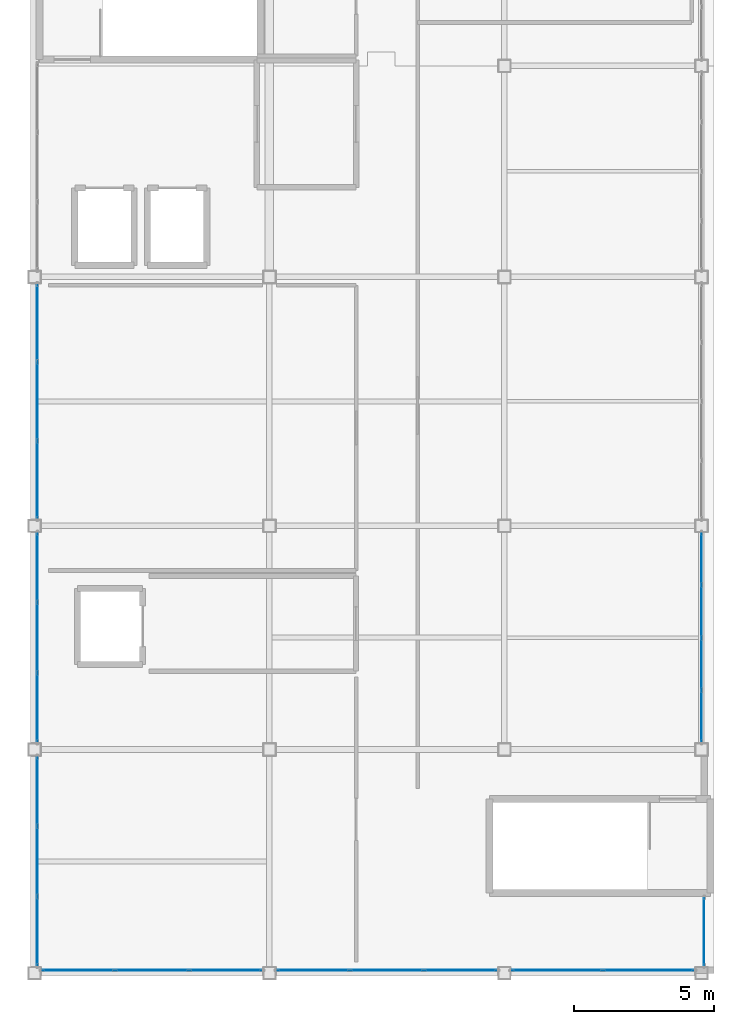
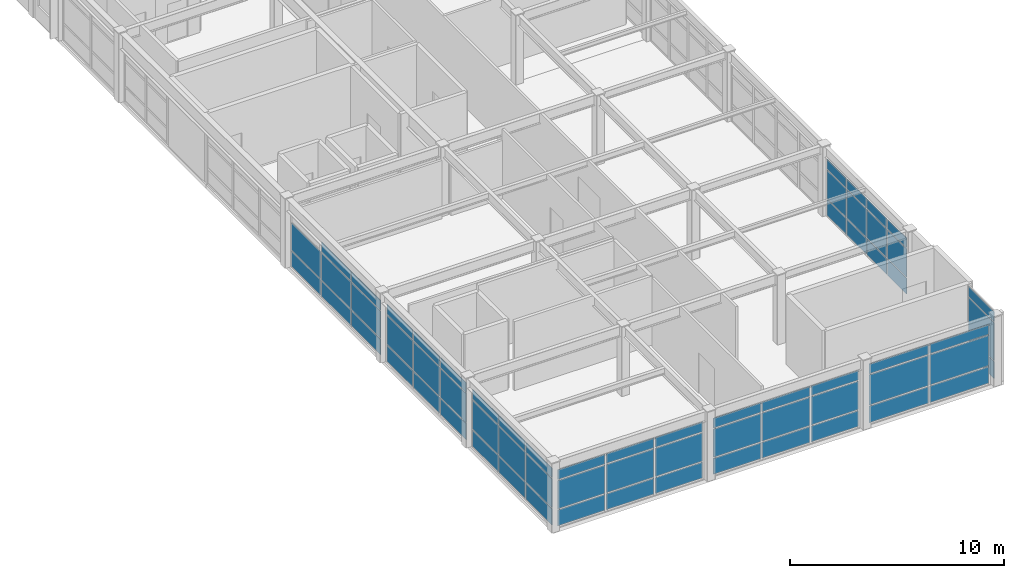
# One storey, part 28 of 34: 65 plates, 8 elements without a shape of their own.
"""IFC4 building model written with IfcOpenShell, lengths in metres."""

from ifc_helpers import new_model, si_unit, direction, frame, origin, origin_2d, place, context, subcontext, project, spatial, rectangle, extrude, material, layer, layer_set, type_object, element, aggregate, save


model = new_model("IFC4")

# Units and contexts
model_context = context("Model", 3, precision=1e-05, world=origin(), true_north=direction((0.0, 1.0)))
body_context = subcontext(model_context, "Body", "Model", "MODEL_VIEW")
ifc_project = project(units=[si_unit("LENGTHUNIT", "METRE"), si_unit("AREAUNIT", "SQUARE_METRE"), si_unit("VOLUMEUNIT", "CUBIC_METRE"), si_unit("PLANEANGLEUNIT", "RADIAN"), si_unit("MASSUNIT", "GRAM", prefix="KILO")], contexts=[model_context])

# Site, building, storey
site_placement = place(None, origin())
site = spatial("IfcSite", under=ifc_project, at=site_placement, CompositionType="ELEMENT")
building_placement = place(site_placement, origin())
building = spatial("IfcBuilding", under=site, at=building_placement, Name="Kazehara Bluff Congress Hotel", CompositionType="ELEMENT")
storey_placement = place(building_placement, frame((0.0, 0.0, 46.199951171875)))
storey = spatial("IfcBuildingStorey", under=building, at=storey_placement, Name="L11", CompositionType="ELEMENT", Elevation=46.199951171875)

# Curtain wall, plates
ifc_material_1 = material(Name="Anodised aluminium", Category="aluminium")
ifc_layer_1 = layer(ifc_material_1, 0.159912109375)
ifc_layer_set_1 = layer_set([ifc_layer_1], Name="Anodised aluminium")
curtain_wall_type_1 = type_object("IfcCurtainWallType", Name="TP-CW-84", PredefinedType="NOTDEFINED", material=ifc_layer_set_1)
curtain_wall_1_placement = place(storey_placement, origin())
curtain_wall_1 = element("IfcCurtainWall", 1, at=curtain_wall_1_placement, inside=storey, type_object=curtain_wall_type_1, Name="L11 curtain wall CW-84 CW-V5-L11-X16755-2422", PredefinedType="NOTDEFINED")
ifc_material_2 = material(Name="Insulated low-E double glazing", Category="glass")
ifc_layer_2 = layer(ifc_material_2, 0.028076171875)
ifc_layer_set_2 = layer_set([ifc_layer_2], Name="Insulated low-E double glazing")
plate_type_1 = type_object("IfcPlateType", Name="TP-CWP-01", PredefinedType="CURTAIN_PANEL", material=ifc_layer_set_2)
plate_1_placement = place(storey_placement, frame((167.550048828125, 25.18505859375, 0.06494140625), z_axis=(0.0, 0.0, 1.0), x_axis=(0.0, 1.0, 0.0)))
plate_1 = element("IfcPlate", 2, at=plate_1_placement, type_object=plate_type_1, Name="CW-84 panel 1.1", PredefinedType="CURTAIN_PANEL", context=body_context, shape_type="SweptSolid", body=[
    extrude(rectangle(XDim=1.7900390625, YDim=0.028076171875, at=origin_2d()), origin(), (0.0, 0.0, 1.0), 0.902587890625),
])
plate_2_placement = place(storey_placement, frame((167.550048828125, 25.18505859375, 1.03271484375), z_axis=(0.0, 0.0, 1.0), x_axis=(0.0, 1.0, 0.0)))
plate_2 = element("IfcPlate", 3, at=plate_2_placement, type_object=plate_type_1, Name="CW-84 panel 1.2", PredefinedType="CURTAIN_PANEL", context=body_context, shape_type="SweptSolid", body=[
    extrude(rectangle(XDim=1.7900390625, YDim=0.028076171875, at=origin_2d()), origin(), (0.0, 0.0, 1.0), 1.610107421875),
])
plate_3_placement = place(storey_placement, frame((167.550048828125, 25.18505859375, 2.70751953125), z_axis=(0.0, 0.0, 1.0), x_axis=(0.0, 1.0, 0.0)))
plate_3 = element("IfcPlate", 4, at=plate_3_placement, type_object=plate_type_1, Name="CW-84 panel 1.3", PredefinedType="CURTAIN_PANEL", context=body_context, shape_type="SweptSolid", body=[
    extrude(rectangle(XDim=1.7900390625, YDim=0.028076171875, at=origin_2d()), origin(), (0.0, 0.0, 1.0), 0.552490234375),
])
plate_4_placement = place(storey_placement, frame((167.550048828125, 27.05615234375, 0.06494140625), z_axis=(0.0, 0.0, 1.0), x_axis=(0.0, 1.0, 0.0)))
plate_4 = element("IfcPlate", 5, at=plate_4_placement, type_object=plate_type_1, Name="CW-84 panel 2.1", PredefinedType="CURTAIN_PANEL", context=body_context, shape_type="SweptSolid", body=[
    extrude(rectangle(XDim=1.822509765625, YDim=0.028076171875, at=origin_2d()), origin(), (0.0, 0.0, 1.0), 0.902587890625),
])
plate_5_placement = place(storey_placement, frame((167.550048828125, 27.05615234375, 1.03271484375), z_axis=(0.0, 0.0, 1.0), x_axis=(0.0, 1.0, 0.0)))
plate_5 = element("IfcPlate", 6, at=plate_5_placement, type_object=plate_type_1, Name="CW-84 panel 2.2", PredefinedType="CURTAIN_PANEL", context=body_context, shape_type="SweptSolid", body=[
    extrude(rectangle(XDim=1.822509765625, YDim=0.028076171875, at=origin_2d()), origin(), (0.0, 0.0, 1.0), 1.610107421875),
])
plate_6_placement = place(storey_placement, frame((167.550048828125, 27.05615234375, 2.70751953125), z_axis=(0.0, 0.0, 1.0), x_axis=(0.0, 1.0, 0.0)))
plate_6 = element("IfcPlate", 7, at=plate_6_placement, type_object=plate_type_1, Name="CW-84 panel 2.3", PredefinedType="CURTAIN_PANEL", context=body_context, shape_type="SweptSolid", body=[
    extrude(rectangle(XDim=1.822509765625, YDim=0.028076171875, at=origin_2d()), origin(), (0.0, 0.0, 1.0), 0.552490234375),
])
plate_7_placement = place(storey_placement, frame((167.550048828125, 28.94384765625, 0.06494140625), z_axis=(0.0, 0.0, 1.0), x_axis=(0.0, 1.0, 0.0)))
plate_7 = element("IfcPlate", 8, at=plate_7_placement, type_object=plate_type_1, Name="CW-84 panel 3.1", PredefinedType="CURTAIN_PANEL", context=body_context, shape_type="SweptSolid", body=[
    extrude(rectangle(XDim=1.822509765625, YDim=0.028076171875, at=origin_2d()), origin(), (0.0, 0.0, 1.0), 0.902587890625),
])
plate_8_placement = place(storey_placement, frame((167.550048828125, 28.94384765625, 1.03271484375), z_axis=(0.0, 0.0, 1.0), x_axis=(0.0, 1.0, 0.0)))
plate_8 = element("IfcPlate", 9, at=plate_8_placement, type_object=plate_type_1, Name="CW-84 panel 3.2", PredefinedType="CURTAIN_PANEL", context=body_context, shape_type="SweptSolid", body=[
    extrude(rectangle(XDim=1.822509765625, YDim=0.028076171875, at=origin_2d()), origin(), (0.0, 0.0, 1.0), 1.610107421875),
])
plate_9_placement = place(storey_placement, frame((167.550048828125, 28.94384765625, 2.70751953125), z_axis=(0.0, 0.0, 1.0), x_axis=(0.0, 1.0, 0.0)))
plate_9 = element("IfcPlate", 10, at=plate_9_placement, type_object=plate_type_1, Name="CW-84 panel 3.3", PredefinedType="CURTAIN_PANEL", context=body_context, shape_type="SweptSolid", body=[
    extrude(rectangle(XDim=1.822509765625, YDim=0.028076171875, at=origin_2d()), origin(), (0.0, 0.0, 1.0), 0.552490234375),
])
plate_10_placement = place(storey_placement, frame((167.550048828125, 30.81494140625, 0.06494140625), z_axis=(0.0, 0.0, 1.0), x_axis=(0.0, 1.0, 0.0)))
plate_10 = element("IfcPlate", 11, at=plate_10_placement, type_object=plate_type_1, Name="CW-84 panel 4.1", PredefinedType="CURTAIN_PANEL", context=body_context, shape_type="SweptSolid", body=[
    extrude(rectangle(XDim=1.7900390625, YDim=0.028076171875, at=origin_2d()), origin(), (0.0, 0.0, 1.0), 0.902587890625),
])
plate_11_placement = place(storey_placement, frame((167.550048828125, 30.81494140625, 1.03271484375), z_axis=(0.0, 0.0, 1.0), x_axis=(0.0, 1.0, 0.0)))
plate_11 = element("IfcPlate", 12, at=plate_11_placement, type_object=plate_type_1, Name="CW-84 panel 4.2", PredefinedType="CURTAIN_PANEL", context=body_context, shape_type="SweptSolid", body=[
    extrude(rectangle(XDim=1.7900390625, YDim=0.028076171875, at=origin_2d()), origin(), (0.0, 0.0, 1.0), 1.610107421875),
])
plate_12_placement = place(storey_placement, frame((167.550048828125, 30.81494140625, 2.70751953125), z_axis=(0.0, 0.0, 1.0), x_axis=(0.0, 1.0, 0.0)))
plate_12 = element("IfcPlate", 13, at=plate_12_placement, type_object=plate_type_1, Name="CW-84 panel 4.3", PredefinedType="CURTAIN_PANEL", context=body_context, shape_type="SweptSolid", body=[
    extrude(rectangle(XDim=1.7900390625, YDim=0.028076171875, at=origin_2d()), origin(), (0.0, 0.0, 1.0), 0.552490234375),
])
aggregate(curtain_wall_1, [plate_1, plate_2, plate_3, plate_4, plate_5, plate_6, plate_7, plate_8, plate_9, plate_10, plate_11, plate_12])

ifc_material_3 = material(Name="Anodised aluminium", Category="aluminium")
ifc_layer_3 = layer(ifc_material_3, 0.159912109375)
ifc_layer_set_3 = layer_set([ifc_layer_3], Name="Anodised aluminium")
curtain_wall_type_2 = type_object("IfcCurtainWallType", Name="TP-CW-206", PredefinedType="NOTDEFINED", material=ifc_layer_set_3)
curtain_wall_2_placement = place(storey_placement, origin())
curtain_wall_2 = element("IfcCurtainWall", 14, at=curtain_wall_2_placement, inside=storey, type_object=curtain_wall_type_2, Name="L11 curtain wall CW-206 CW-ENC-V5-L11-14790-1610", PredefinedType="NOTDEFINED")
plate_13_placement = place(storey_placement, frame((150.53369140625, 16.10009765625, 0.06494140625), z_axis=(0.0, 0.0, 1.0), x_axis=(-1.0, 0.0, 0.0)))
plate_13 = element("IfcPlate", 15, at=plate_13_placement, type_object=plate_type_1, Name="CW-206 panel 1.1", PredefinedType="CURTAIN_PANEL", context=body_context, shape_type="SweptSolid", body=[
    extrude(rectangle(XDim=2.552490234375, YDim=0.028076171875, at=origin_2d()), origin(), (0.0, 0.0, 1.0), 0.902587890625),
])
plate_14_placement = place(storey_placement, frame((150.53369140625, 16.10009765625, 1.03271484375), z_axis=(0.0, 0.0, 1.0), x_axis=(-1.0, 0.0, 0.0)))
plate_14 = element("IfcPlate", 16, at=plate_14_placement, type_object=plate_type_1, Name="CW-206 panel 1.2", PredefinedType="CURTAIN_PANEL", context=body_context, shape_type="SweptSolid", body=[
    extrude(rectangle(XDim=2.552490234375, YDim=0.028076171875, at=origin_2d()), origin(), (0.0, 0.0, 1.0), 1.610107421875),
])
plate_15_placement = place(storey_placement, frame((150.53369140625, 16.10009765625, 2.70751953125), z_axis=(0.0, 0.0, 1.0), x_axis=(-1.0, 0.0, 0.0)))
plate_15 = element("IfcPlate", 17, at=plate_15_placement, type_object=plate_type_1, Name="CW-206 panel 1.3", PredefinedType="CURTAIN_PANEL", context=body_context, shape_type="SweptSolid", body=[
    extrude(rectangle(XDim=2.552490234375, YDim=0.028076171875, at=origin_2d()), origin(), (0.0, 0.0, 1.0), 0.552490234375),
])
plate_16_placement = place(storey_placement, frame((147.89990234375, 16.10009765625, 0.06494140625), z_axis=(0.0, 0.0, 1.0), x_axis=(-1.0, 0.0, 0.0)))
plate_16 = element("IfcPlate", 18, at=plate_16_placement, type_object=plate_type_1, Name="CW-206 panel 2.1", PredefinedType="CURTAIN_PANEL", context=body_context, shape_type="SweptSolid", body=[
    extrude(rectangle(XDim=2.5849609375, YDim=0.028076171875, at=origin_2d()), origin(), (0.0, 0.0, 1.0), 0.902587890625),
])
plate_17_placement = place(storey_placement, frame((147.89990234375, 16.10009765625, 1.03271484375), z_axis=(0.0, 0.0, 1.0), x_axis=(-1.0, 0.0, 0.0)))
plate_17 = element("IfcPlate", 19, at=plate_17_placement, type_object=plate_type_1, Name="CW-206 panel 2.2", PredefinedType="CURTAIN_PANEL", context=body_context, shape_type="SweptSolid", body=[
    extrude(rectangle(XDim=2.5849609375, YDim=0.028076171875, at=origin_2d()), origin(), (0.0, 0.0, 1.0), 1.610107421875),
])
plate_18_placement = place(storey_placement, frame((147.89990234375, 16.10009765625, 2.70751953125), z_axis=(0.0, 0.0, 1.0), x_axis=(-1.0, 0.0, 0.0)))
plate_18 = element("IfcPlate", 20, at=plate_18_placement, type_object=plate_type_1, Name="CW-206 panel 2.3", PredefinedType="CURTAIN_PANEL", context=body_context, shape_type="SweptSolid", body=[
    extrude(rectangle(XDim=2.5849609375, YDim=0.028076171875, at=origin_2d()), origin(), (0.0, 0.0, 1.0), 0.552490234375),
])
plate_19_placement = place(storey_placement, frame((145.266357421875, 16.10009765625, 0.06494140625), z_axis=(0.0, 0.0, 1.0), x_axis=(-1.0, 0.0, 0.0)))
plate_19 = element("IfcPlate", 21, at=plate_19_placement, type_object=plate_type_1, Name="CW-206 panel 3.1", PredefinedType="CURTAIN_PANEL", context=body_context, shape_type="SweptSolid", body=[
    extrude(rectangle(XDim=2.552490234375, YDim=0.028076171875, at=origin_2d()), origin(), (0.0, 0.0, 1.0), 0.902587890625),
])
plate_20_placement = place(storey_placement, frame((145.266357421875, 16.10009765625, 1.03271484375), z_axis=(0.0, 0.0, 1.0), x_axis=(-1.0, 0.0, 0.0)))
plate_20 = element("IfcPlate", 22, at=plate_20_placement, type_object=plate_type_1, Name="CW-206 panel 3.2", PredefinedType="CURTAIN_PANEL", context=body_context, shape_type="SweptSolid", body=[
    extrude(rectangle(XDim=2.552490234375, YDim=0.028076171875, at=origin_2d()), origin(), (0.0, 0.0, 1.0), 1.610107421875),
])
plate_21_placement = place(storey_placement, frame((145.266357421875, 16.10009765625, 2.70751953125), z_axis=(0.0, 0.0, 1.0), x_axis=(-1.0, 0.0, 0.0)))
plate_21 = element("IfcPlate", 23, at=plate_21_placement, type_object=plate_type_1, Name="CW-206 panel 3.3", PredefinedType="CURTAIN_PANEL", context=body_context, shape_type="SweptSolid", body=[
    extrude(rectangle(XDim=2.552490234375, YDim=0.028076171875, at=origin_2d()), origin(), (0.0, 0.0, 1.0), 0.552490234375),
])
aggregate(curtain_wall_2, [plate_13, plate_14, plate_15, plate_16, plate_17, plate_18, plate_19, plate_20, plate_21])

curtain_wall_3_placement = place(storey_placement, origin())
curtain_wall_3 = element("IfcCurtainWall", 24, at=curtain_wall_3_placement, inside=storey, type_object=curtain_wall_type_2, Name="L11 curtain wall CW-206 CW-ENC-V5-L11-15630-1610", PredefinedType="NOTDEFINED")
plate_22_placement = place(storey_placement, frame((158.933837890625, 16.10009765625, 0.06494140625), z_axis=(0.0, 0.0, 1.0), x_axis=(-1.0, 0.0, 0.0)))
plate_22 = element("IfcPlate", 25, at=plate_22_placement, type_object=plate_type_1, Name="CW-206 panel 1.1", PredefinedType="CURTAIN_PANEL", context=body_context, shape_type="SweptSolid", body=[
    extrude(rectangle(XDim=2.552490234375, YDim=0.028076171875, at=origin_2d()), origin(), (0.0, 0.0, 1.0), 0.902587890625),
])
plate_23_placement = place(storey_placement, frame((158.933837890625, 16.10009765625, 1.03271484375), z_axis=(0.0, 0.0, 1.0), x_axis=(-1.0, 0.0, 0.0)))
plate_23 = element("IfcPlate", 26, at=plate_23_placement, type_object=plate_type_1, Name="CW-206 panel 1.2", PredefinedType="CURTAIN_PANEL", context=body_context, shape_type="SweptSolid", body=[
    extrude(rectangle(XDim=2.552490234375, YDim=0.028076171875, at=origin_2d()), origin(), (0.0, 0.0, 1.0), 1.610107421875),
])
plate_24_placement = place(storey_placement, frame((158.933837890625, 16.10009765625, 2.70751953125), z_axis=(0.0, 0.0, 1.0), x_axis=(-1.0, 0.0, 0.0)))
plate_24 = element("IfcPlate", 27, at=plate_24_placement, type_object=plate_type_1, Name="CW-206 panel 1.3", PredefinedType="CURTAIN_PANEL", context=body_context, shape_type="SweptSolid", body=[
    extrude(rectangle(XDim=2.552490234375, YDim=0.028076171875, at=origin_2d()), origin(), (0.0, 0.0, 1.0), 0.552490234375),
])
plate_25_placement = place(storey_placement, frame((156.300048828125, 16.10009765625, 0.06494140625), z_axis=(0.0, 0.0, 1.0), x_axis=(-1.0, 0.0, 0.0)))
plate_25 = element("IfcPlate", 28, at=plate_25_placement, type_object=plate_type_1, Name="CW-206 panel 2.1", PredefinedType="CURTAIN_PANEL", context=body_context, shape_type="SweptSolid", body=[
    extrude(rectangle(XDim=2.5849609375, YDim=0.028076171875, at=origin_2d()), origin(), (0.0, 0.0, 1.0), 0.902587890625),
])
plate_26_placement = place(storey_placement, frame((156.300048828125, 16.10009765625, 1.03271484375), z_axis=(0.0, 0.0, 1.0), x_axis=(-1.0, 0.0, 0.0)))
plate_26 = element("IfcPlate", 29, at=plate_26_placement, type_object=plate_type_1, Name="CW-206 panel 2.2", PredefinedType="CURTAIN_PANEL", context=body_context, shape_type="SweptSolid", body=[
    extrude(rectangle(XDim=2.5849609375, YDim=0.028076171875, at=origin_2d()), origin(), (0.0, 0.0, 1.0), 1.610107421875),
])
plate_27_placement = place(storey_placement, frame((156.300048828125, 16.10009765625, 2.70751953125), z_axis=(0.0, 0.0, 1.0), x_axis=(-1.0, 0.0, 0.0)))
plate_27 = element("IfcPlate", 30, at=plate_27_placement, type_object=plate_type_1, Name="CW-206 panel 2.3", PredefinedType="CURTAIN_PANEL", context=body_context, shape_type="SweptSolid", body=[
    extrude(rectangle(XDim=2.5849609375, YDim=0.028076171875, at=origin_2d()), origin(), (0.0, 0.0, 1.0), 0.552490234375),
])
plate_28_placement = place(storey_placement, frame((153.666259765625, 16.10009765625, 0.06494140625), z_axis=(0.0, 0.0, 1.0), x_axis=(-1.0, 0.0, 0.0)))
plate_28 = element("IfcPlate", 31, at=plate_28_placement, type_object=plate_type_1, Name="CW-206 panel 3.1", PredefinedType="CURTAIN_PANEL", context=body_context, shape_type="SweptSolid", body=[
    extrude(rectangle(XDim=2.552490234375, YDim=0.028076171875, at=origin_2d()), origin(), (0.0, 0.0, 1.0), 0.902587890625),
])
plate_29_placement = place(storey_placement, frame((153.666259765625, 16.10009765625, 1.03271484375), z_axis=(0.0, 0.0, 1.0), x_axis=(-1.0, 0.0, 0.0)))
plate_29 = element("IfcPlate", 32, at=plate_29_placement, type_object=plate_type_1, Name="CW-206 panel 3.2", PredefinedType="CURTAIN_PANEL", context=body_context, shape_type="SweptSolid", body=[
    extrude(rectangle(XDim=2.552490234375, YDim=0.028076171875, at=origin_2d()), origin(), (0.0, 0.0, 1.0), 1.610107421875),
])
plate_30_placement = place(storey_placement, frame((153.666259765625, 16.10009765625, 2.70751953125), z_axis=(0.0, 0.0, 1.0), x_axis=(-1.0, 0.0, 0.0)))
plate_30 = element("IfcPlate", 33, at=plate_30_placement, type_object=plate_type_1, Name="CW-206 panel 3.3", PredefinedType="CURTAIN_PANEL", context=body_context, shape_type="SweptSolid", body=[
    extrude(rectangle(XDim=2.552490234375, YDim=0.028076171875, at=origin_2d()), origin(), (0.0, 0.0, 1.0), 0.552490234375),
])
aggregate(curtain_wall_3, [plate_22, plate_23, plate_24, plate_25, plate_26, plate_27, plate_28, plate_29, plate_30])

ifc_material_4 = material(Name="Anodised aluminium", Category="aluminium")
ifc_layer_4 = layer(ifc_material_4, 0.159912109375)
ifc_layer_set_4 = layer_set([ifc_layer_4], Name="Anodised aluminium")
curtain_wall_type_3 = type_object("IfcCurtainWallType", Name="TP-CW-207", PredefinedType="NOTDEFINED", material=ifc_layer_set_4)
curtain_wall_4_placement = place(storey_placement, origin())
curtain_wall_4 = element("IfcCurtainWall", 34, at=curtain_wall_4_placement, inside=storey, type_object=curtain_wall_type_3, Name="L11 curtain wall CW-207 CW-ENC-V5-L11-16402-1610", PredefinedType="NOTDEFINED")
plate_31_placement = place(storey_placement, frame((165.65869140625, 16.10009765625, 0.065185546875), z_axis=(0.0, 0.0, 1.0), x_axis=(-1.0, 0.0, 0.0)))
plate_31 = element("IfcPlate", 35, at=plate_31_placement, type_object=plate_type_1, Name="CW-207 panel 1.1", PredefinedType="CURTAIN_PANEL", context=body_context, shape_type="SweptSolid", body=[
    extrude(rectangle(XDim=3.202392578125, YDim=0.028076171875, at=origin_2d()), origin(), (0.0, 0.0, 1.0), 0.9423828125),
])
plate_32_placement = place(storey_placement, frame((165.65869140625, 16.10009765625, 1.07275390625), z_axis=(0.0, 0.0, 1.0), x_axis=(-1.0, 0.0, 0.0)))
plate_32 = element("IfcPlate", 36, at=plate_32_placement, type_object=plate_type_1, Name="CW-207 panel 1.2", PredefinedType="CURTAIN_PANEL", context=body_context, shape_type="SweptSolid", body=[
    extrude(rectangle(XDim=3.202392578125, YDim=0.028076171875, at=origin_2d()), origin(), (0.0, 0.0, 1.0), 1.719970703125),
])
plate_33_placement = place(storey_placement, frame((165.65869140625, 16.10009765625, 2.857421875), z_axis=(0.0, 0.0, 1.0), x_axis=(-1.0, 0.0, 0.0)))
plate_33 = element("IfcPlate", 37, at=plate_33_placement, type_object=plate_type_1, Name="CW-207 panel 1.3", PredefinedType="CURTAIN_PANEL", context=body_context, shape_type="SweptSolid", body=[
    extrude(rectangle(XDim=3.202392578125, YDim=0.028076171875, at=origin_2d()), origin(), (0.0, 0.0, 1.0), 0.552490234375),
])
plate_34_placement = place(storey_placement, frame((162.391357421875, 16.10009765625, 0.065185546875), z_axis=(0.0, 0.0, 1.0), x_axis=(-1.0, 0.0, 0.0)))
plate_34 = element("IfcPlate", 38, at=plate_34_placement, type_object=plate_type_1, Name="CW-207 panel 2.1", PredefinedType="CURTAIN_PANEL", context=body_context, shape_type="SweptSolid", body=[
    extrude(rectangle(XDim=3.202392578125, YDim=0.028076171875, at=origin_2d()), origin(), (0.0, 0.0, 1.0), 0.9423828125),
])
plate_35_placement = place(storey_placement, frame((162.391357421875, 16.10009765625, 1.07275390625), z_axis=(0.0, 0.0, 1.0), x_axis=(-1.0, 0.0, 0.0)))
plate_35 = element("IfcPlate", 39, at=plate_35_placement, type_object=plate_type_1, Name="CW-207 panel 2.2", PredefinedType="CURTAIN_PANEL", context=body_context, shape_type="SweptSolid", body=[
    extrude(rectangle(XDim=3.202392578125, YDim=0.028076171875, at=origin_2d()), origin(), (0.0, 0.0, 1.0), 1.719970703125),
])
plate_36_placement = place(storey_placement, frame((162.391357421875, 16.10009765625, 2.857421875), z_axis=(0.0, 0.0, 1.0), x_axis=(-1.0, 0.0, 0.0)))
plate_36 = element("IfcPlate", 40, at=plate_36_placement, type_object=plate_type_1, Name="CW-207 panel 2.3", PredefinedType="CURTAIN_PANEL", context=body_context, shape_type="SweptSolid", body=[
    extrude(rectangle(XDim=3.202392578125, YDim=0.028076171875, at=origin_2d()), origin(), (0.0, 0.0, 1.0), 0.552490234375),
])
aggregate(curtain_wall_4, [plate_31, plate_32, plate_33, plate_34, plate_35, plate_36])

ifc_material_5 = material(Name="Anodised aluminium", Category="aluminium")
ifc_layer_5 = layer(ifc_material_5, 0.159912109375)
ifc_layer_set_5 = layer_set([ifc_layer_5], Name="Anodised aluminium")
curtain_wall_type_4 = type_object("IfcCurtainWallType", Name="TP-CW-212", PredefinedType="NOTDEFINED", material=ifc_layer_set_5)
curtain_wall_5_placement = place(storey_placement, origin())
curtain_wall_5 = element("IfcCurtainWall", 41, at=curtain_wall_5_placement, inside=storey, type_object=curtain_wall_type_4, Name="L11 curtain wall CW-212 CW-ENC-V5-L11-14380-2000", PredefinedType="NOTDEFINED")
plate_37_placement = place(storey_placement, frame((143.800048828125, 17.49951171875, 0.06494140625), z_axis=(0.0, 0.0, 1.0), x_axis=(0.0, 1.0, 0.0)))
plate_37 = element("IfcPlate", 42, at=plate_37_placement, type_object=plate_type_1, Name="CW-212 panel 1.1", PredefinedType="CURTAIN_PANEL", context=body_context, shape_type="SweptSolid", body=[
    extrude(rectangle(XDim=2.419189453125, YDim=0.028076171875, at=origin_2d()), origin(), (0.0, 0.0, 1.0), 0.91748046875),
])
plate_38_placement = place(storey_placement, frame((143.800048828125, 17.49951171875, 1.047607421875), z_axis=(0.0, 0.0, 1.0), x_axis=(0.0, 1.0, 0.0)))
plate_38 = element("IfcPlate", 43, at=plate_38_placement, type_object=plate_type_1, Name="CW-212 panel 1.2", PredefinedType="CURTAIN_PANEL", context=body_context, shape_type="SweptSolid", body=[
    extrude(rectangle(XDim=2.419189453125, YDim=0.028076171875, at=origin_2d()), origin(), (0.0, 0.0, 1.0), 1.64501953125),
])
plate_39_placement = place(storey_placement, frame((143.800048828125, 17.49951171875, 2.75732421875), z_axis=(0.0, 0.0, 1.0), x_axis=(0.0, 1.0, 0.0)))
plate_39 = element("IfcPlate", 44, at=plate_39_placement, type_object=plate_type_1, Name="CW-212 panel 1.3", PredefinedType="CURTAIN_PANEL", context=body_context, shape_type="SweptSolid", body=[
    extrude(rectangle(XDim=2.419189453125, YDim=0.028076171875, at=origin_2d()), origin(), (0.0, 0.0, 1.0), 0.552490234375),
])
plate_40_placement = place(storey_placement, frame((143.800048828125, 20.0, 0.06494140625), z_axis=(0.0, 0.0, 1.0), x_axis=(0.0, 1.0, 0.0)))
plate_40 = element("IfcPlate", 45, at=plate_40_placement, type_object=plate_type_1, Name="CW-212 panel 2.1", PredefinedType="CURTAIN_PANEL", context=body_context, shape_type="SweptSolid", body=[
    extrude(rectangle(XDim=2.45166015625, YDim=0.028076171875, at=origin_2d()), origin(), (0.0, 0.0, 1.0), 0.91748046875),
])
plate_41_placement = place(storey_placement, frame((143.800048828125, 20.0, 1.047607421875), z_axis=(0.0, 0.0, 1.0), x_axis=(0.0, 1.0, 0.0)))
plate_41 = element("IfcPlate", 46, at=plate_41_placement, type_object=plate_type_1, Name="CW-212 panel 2.2", PredefinedType="CURTAIN_PANEL", context=body_context, shape_type="SweptSolid", body=[
    extrude(rectangle(XDim=2.45166015625, YDim=0.028076171875, at=origin_2d()), origin(), (0.0, 0.0, 1.0), 1.64501953125),
])
plate_42_placement = place(storey_placement, frame((143.800048828125, 20.0, 2.75732421875), z_axis=(0.0, 0.0, 1.0), x_axis=(0.0, 1.0, 0.0)))
plate_42 = element("IfcPlate", 47, at=plate_42_placement, type_object=plate_type_1, Name="CW-212 panel 2.3", PredefinedType="CURTAIN_PANEL", context=body_context, shape_type="SweptSolid", body=[
    extrude(rectangle(XDim=2.45166015625, YDim=0.028076171875, at=origin_2d()), origin(), (0.0, 0.0, 1.0), 0.552490234375),
])
plate_43_placement = place(storey_placement, frame((143.800048828125, 22.50048828125, 0.06494140625), z_axis=(0.0, 0.0, 1.0), x_axis=(0.0, 1.0, 0.0)))
plate_43 = element("IfcPlate", 48, at=plate_43_placement, type_object=plate_type_1, Name="CW-212 panel 3.1", PredefinedType="CURTAIN_PANEL", context=body_context, shape_type="SweptSolid", body=[
    extrude(rectangle(XDim=2.419189453125, YDim=0.028076171875, at=origin_2d()), origin(), (0.0, 0.0, 1.0), 0.91748046875),
])
plate_44_placement = place(storey_placement, frame((143.800048828125, 22.50048828125, 1.047607421875), z_axis=(0.0, 0.0, 1.0), x_axis=(0.0, 1.0, 0.0)))
plate_44 = element("IfcPlate", 49, at=plate_44_placement, type_object=plate_type_1, Name="CW-212 panel 3.2", PredefinedType="CURTAIN_PANEL", context=body_context, shape_type="SweptSolid", body=[
    extrude(rectangle(XDim=2.419189453125, YDim=0.028076171875, at=origin_2d()), origin(), (0.0, 0.0, 1.0), 1.64501953125),
])
plate_45_placement = place(storey_placement, frame((143.800048828125, 22.50048828125, 2.75732421875), z_axis=(0.0, 0.0, 1.0), x_axis=(0.0, 1.0, 0.0)))
plate_45 = element("IfcPlate", 50, at=plate_45_placement, type_object=plate_type_1, Name="CW-212 panel 3.3", PredefinedType="CURTAIN_PANEL", context=body_context, shape_type="SweptSolid", body=[
    extrude(rectangle(XDim=2.419189453125, YDim=0.028076171875, at=origin_2d()), origin(), (0.0, 0.0, 1.0), 0.552490234375),
])
aggregate(curtain_wall_5, [plate_37, plate_38, plate_39, plate_40, plate_41, plate_42, plate_43, plate_44, plate_45])

curtain_wall_6_placement = place(storey_placement, origin())
curtain_wall_6 = element("IfcCurtainWall", 51, at=curtain_wall_6_placement, inside=storey, type_object=curtain_wall_type_4, Name="L11 curtain wall CW-212 CW-ENC-V5-L11-14380-2800", PredefinedType="NOTDEFINED")
plate_46_placement = place(storey_placement, frame((143.800048828125, 25.49951171875, 0.06494140625), z_axis=(0.0, 0.0, 1.0), x_axis=(0.0, 1.0, 0.0)))
plate_46 = element("IfcPlate", 52, at=plate_46_placement, type_object=plate_type_1, Name="CW-212 panel 1.1", PredefinedType="CURTAIN_PANEL", context=body_context, shape_type="SweptSolid", body=[
    extrude(rectangle(XDim=2.419189453125, YDim=0.028076171875, at=origin_2d()), origin(), (0.0, 0.0, 1.0), 0.91748046875),
])
plate_47_placement = place(storey_placement, frame((143.800048828125, 25.49951171875, 1.047607421875), z_axis=(0.0, 0.0, 1.0), x_axis=(0.0, 1.0, 0.0)))
plate_47 = element("IfcPlate", 53, at=plate_47_placement, type_object=plate_type_1, Name="CW-212 panel 1.2", PredefinedType="CURTAIN_PANEL", context=body_context, shape_type="SweptSolid", body=[
    extrude(rectangle(XDim=2.419189453125, YDim=0.028076171875, at=origin_2d()), origin(), (0.0, 0.0, 1.0), 1.64501953125),
])
plate_48_placement = place(storey_placement, frame((143.800048828125, 25.49951171875, 2.75732421875), z_axis=(0.0, 0.0, 1.0), x_axis=(0.0, 1.0, 0.0)))
plate_48 = element("IfcPlate", 54, at=plate_48_placement, type_object=plate_type_1, Name="CW-212 panel 1.3", PredefinedType="CURTAIN_PANEL", context=body_context, shape_type="SweptSolid", body=[
    extrude(rectangle(XDim=2.419189453125, YDim=0.028076171875, at=origin_2d()), origin(), (0.0, 0.0, 1.0), 0.552490234375),
])
plate_49_placement = place(storey_placement, frame((143.800048828125, 28.0, 0.06494140625), z_axis=(0.0, 0.0, 1.0), x_axis=(0.0, 1.0, 0.0)))
plate_49 = element("IfcPlate", 55, at=plate_49_placement, type_object=plate_type_1, Name="CW-212 panel 2.1", PredefinedType="CURTAIN_PANEL", context=body_context, shape_type="SweptSolid", body=[
    extrude(rectangle(XDim=2.45166015625, YDim=0.028076171875, at=origin_2d()), origin(), (0.0, 0.0, 1.0), 0.91748046875),
])
plate_50_placement = place(storey_placement, frame((143.800048828125, 28.0, 1.047607421875), z_axis=(0.0, 0.0, 1.0), x_axis=(0.0, 1.0, 0.0)))
plate_50 = element("IfcPlate", 56, at=plate_50_placement, type_object=plate_type_1, Name="CW-212 panel 2.2", PredefinedType="CURTAIN_PANEL", context=body_context, shape_type="SweptSolid", body=[
    extrude(rectangle(XDim=2.45166015625, YDim=0.028076171875, at=origin_2d()), origin(), (0.0, 0.0, 1.0), 1.64501953125),
])
plate_51_placement = place(storey_placement, frame((143.800048828125, 28.0, 2.75732421875), z_axis=(0.0, 0.0, 1.0), x_axis=(0.0, 1.0, 0.0)))
plate_51 = element("IfcPlate", 57, at=plate_51_placement, type_object=plate_type_1, Name="CW-212 panel 2.3", PredefinedType="CURTAIN_PANEL", context=body_context, shape_type="SweptSolid", body=[
    extrude(rectangle(XDim=2.45166015625, YDim=0.028076171875, at=origin_2d()), origin(), (0.0, 0.0, 1.0), 0.552490234375),
])
plate_52_placement = place(storey_placement, frame((143.800048828125, 30.50048828125, 0.06494140625), z_axis=(0.0, 0.0, 1.0), x_axis=(0.0, 1.0, 0.0)))
plate_52 = element("IfcPlate", 58, at=plate_52_placement, type_object=plate_type_1, Name="CW-212 panel 3.1", PredefinedType="CURTAIN_PANEL", context=body_context, shape_type="SweptSolid", body=[
    extrude(rectangle(XDim=2.419189453125, YDim=0.028076171875, at=origin_2d()), origin(), (0.0, 0.0, 1.0), 0.91748046875),
])
plate_53_placement = place(storey_placement, frame((143.800048828125, 30.50048828125, 1.047607421875), z_axis=(0.0, 0.0, 1.0), x_axis=(0.0, 1.0, 0.0)))
plate_53 = element("IfcPlate", 59, at=plate_53_placement, type_object=plate_type_1, Name="CW-212 panel 3.2", PredefinedType="CURTAIN_PANEL", context=body_context, shape_type="SweptSolid", body=[
    extrude(rectangle(XDim=2.419189453125, YDim=0.028076171875, at=origin_2d()), origin(), (0.0, 0.0, 1.0), 1.64501953125),
])
plate_54_placement = place(storey_placement, frame((143.800048828125, 30.50048828125, 2.75732421875), z_axis=(0.0, 0.0, 1.0), x_axis=(0.0, 1.0, 0.0)))
plate_54 = element("IfcPlate", 60, at=plate_54_placement, type_object=plate_type_1, Name="CW-212 panel 3.3", PredefinedType="CURTAIN_PANEL", context=body_context, shape_type="SweptSolid", body=[
    extrude(rectangle(XDim=2.419189453125, YDim=0.028076171875, at=origin_2d()), origin(), (0.0, 0.0, 1.0), 0.552490234375),
])
aggregate(curtain_wall_6, [plate_46, plate_47, plate_48, plate_49, plate_50, plate_51, plate_52, plate_53, plate_54])

ifc_material_6 = material(Name="Anodised aluminium", Category="aluminium")
ifc_layer_6 = layer(ifc_material_6, 0.159912109375)
ifc_layer_set_6 = layer_set([ifc_layer_6], Name="Anodised aluminium")
curtain_wall_type_5 = type_object("IfcCurtainWallType", Name="TP-CW-213", PredefinedType="NOTDEFINED", material=ifc_layer_set_6)
curtain_wall_7_placement = place(storey_placement, origin())
curtain_wall_7 = element("IfcCurtainWall", 61, at=curtain_wall_7_placement, inside=storey, type_object=curtain_wall_type_5, Name="L11 curtain wall CW-213 CW-ENC-V5-L11-14380-3645", PredefinedType="NOTDEFINED")
plate_55_placement = place(storey_placement, frame((143.800048828125, 33.649658203125, 0.06494140625), z_axis=(0.0, 0.0, 1.0), x_axis=(0.0, 1.0, 0.0)))
plate_55 = element("IfcPlate", 62, at=plate_55_placement, type_object=plate_type_1, Name="CW-213 panel 1.1", PredefinedType="CURTAIN_PANEL", context=body_context, shape_type="SweptSolid", body=[
    extrude(rectangle(XDim=2.71923828125, YDim=0.028076171875, at=origin_2d()), origin(), (0.0, 0.0, 1.0), 0.87255859375),
])
plate_56_placement = place(storey_placement, frame((143.800048828125, 33.649658203125, 1.00244140625), z_axis=(0.0, 0.0, 1.0), x_axis=(0.0, 1.0, 0.0)))
plate_56 = element("IfcPlate", 63, at=plate_56_placement, type_object=plate_type_1, Name="CW-213 panel 1.2", PredefinedType="CURTAIN_PANEL", context=body_context, shape_type="SweptSolid", body=[
    extrude(rectangle(XDim=2.71923828125, YDim=0.028076171875, at=origin_2d()), origin(), (0.0, 0.0, 1.0), 1.5400390625),
])
plate_57_placement = place(storey_placement, frame((143.800048828125, 33.649658203125, 2.607421875), z_axis=(0.0, 0.0, 1.0), x_axis=(0.0, 1.0, 0.0)))
plate_57 = element("IfcPlate", 64, at=plate_57_placement, type_object=plate_type_1, Name="CW-213 panel 1.3", PredefinedType="CURTAIN_PANEL", context=body_context, shape_type="SweptSolid", body=[
    extrude(rectangle(XDim=2.71923828125, YDim=0.028076171875, at=origin_2d()), origin(), (0.0, 0.0, 1.0), 0.552490234375),
])
plate_58_placement = place(storey_placement, frame((143.800048828125, 36.449951171875, 0.06494140625), z_axis=(0.0, 0.0, 1.0), x_axis=(0.0, 1.0, 0.0)))
plate_58 = element("IfcPlate", 65, at=plate_58_placement, type_object=plate_type_1, Name="CW-213 panel 2.1", PredefinedType="CURTAIN_PANEL", context=body_context, shape_type="SweptSolid", body=[
    extrude(rectangle(XDim=2.751708984375, YDim=0.028076171875, at=origin_2d()), origin(), (0.0, 0.0, 1.0), 0.87255859375),
])
plate_59_placement = place(storey_placement, frame((143.800048828125, 36.449951171875, 1.00244140625), z_axis=(0.0, 0.0, 1.0), x_axis=(0.0, 1.0, 0.0)))
plate_59 = element("IfcPlate", 66, at=plate_59_placement, type_object=plate_type_1, Name="CW-213 panel 2.2", PredefinedType="CURTAIN_PANEL", context=body_context, shape_type="SweptSolid", body=[
    extrude(rectangle(XDim=2.751708984375, YDim=0.028076171875, at=origin_2d()), origin(), (0.0, 0.0, 1.0), 1.5400390625),
])
plate_60_placement = place(storey_placement, frame((143.800048828125, 36.449951171875, 2.607421875), z_axis=(0.0, 0.0, 1.0), x_axis=(0.0, 1.0, 0.0)))
plate_60 = element("IfcPlate", 67, at=plate_60_placement, type_object=plate_type_1, Name="CW-213 panel 2.3", PredefinedType="CURTAIN_PANEL", context=body_context, shape_type="SweptSolid", body=[
    extrude(rectangle(XDim=2.751708984375, YDim=0.028076171875, at=origin_2d()), origin(), (0.0, 0.0, 1.0), 0.552490234375),
])
plate_61_placement = place(storey_placement, frame((143.800048828125, 39.25048828125, 0.06494140625), z_axis=(0.0, 0.0, 1.0), x_axis=(0.0, 1.0, 0.0)))
plate_61 = element("IfcPlate", 68, at=plate_61_placement, type_object=plate_type_1, Name="CW-213 panel 3.1", PredefinedType="CURTAIN_PANEL", context=body_context, shape_type="SweptSolid", body=[
    extrude(rectangle(XDim=2.71923828125, YDim=0.028076171875, at=origin_2d()), origin(), (0.0, 0.0, 1.0), 0.87255859375),
])
plate_62_placement = place(storey_placement, frame((143.800048828125, 39.25048828125, 1.00244140625), z_axis=(0.0, 0.0, 1.0), x_axis=(0.0, 1.0, 0.0)))
plate_62 = element("IfcPlate", 69, at=plate_62_placement, type_object=plate_type_1, Name="CW-213 panel 3.2", PredefinedType="CURTAIN_PANEL", context=body_context, shape_type="SweptSolid", body=[
    extrude(rectangle(XDim=2.71923828125, YDim=0.028076171875, at=origin_2d()), origin(), (0.0, 0.0, 1.0), 1.5400390625),
])
aggregate(curtain_wall_7, [plate_55, plate_56, plate_57, plate_58, plate_59, plate_60, plate_61, plate_62])

ifc_material_7 = material(Name="Anodised aluminium", Category="aluminium")
ifc_layer_7 = layer(ifc_material_7, 0.159912109375)
ifc_layer_set_7 = layer_set([ifc_layer_7], Name="Anodised aluminium")
curtain_wall_type_6 = type_object("IfcCurtainWallType", Name="TP-CW-208", PredefinedType="NOTDEFINED", material=ifc_layer_set_7)
curtain_wall_8_placement = place(storey_placement, origin())
curtain_wall_8 = element("IfcCurtainWall", 70, at=curtain_wall_8_placement, inside=storey, type_object=curtain_wall_type_6, Name="L11 curtain wall CW-208 CW-ENC-V5-L11-16765-1748", PredefinedType="NOTDEFINED")
ifc_material_8 = material(Name="Insulated low-E double glazing", Category="glass")
ifc_layer_8 = layer(ifc_material_8, 0.02001953125)
ifc_layer_set_8 = layer_set([ifc_layer_8], Name="Insulated low-E double glazing")
plate_type_2 = type_object("IfcPlateType", Name="TP-CWP-03", PredefinedType="CURTAIN_PANEL", material=ifc_layer_set_8)
plate_63_placement = place(storey_placement, frame((167.64990234375, 17.485107421875, 0.06005859375), z_axis=(0.0, 0.0, 1.0), x_axis=(0.0, -1.0, 0.0)))
plate_63 = element("IfcPlate", 71, at=plate_63_placement, type_object=plate_type_2, Name="CW-208 panel 1.1", PredefinedType="CURTAIN_PANEL", context=body_context, shape_type="SweptSolid", body=[
    extrude(rectangle(XDim=2.389892578125, YDim=0.02001953125, at=origin_2d()), origin(), (0.0, 0.0, 1.0), 0.9599609375),
])
plate_64_placement = place(storey_placement, frame((167.64990234375, 17.485107421875, 1.080078125), z_axis=(0.0, 0.0, 1.0), x_axis=(0.0, -1.0, 0.0)))
plate_64 = element("IfcPlate", 72, at=plate_64_placement, type_object=plate_type_2, Name="CW-208 panel 1.2", PredefinedType="CURTAIN_PANEL", context=body_context, shape_type="SweptSolid", body=[
    extrude(rectangle(XDim=2.389892578125, YDim=0.02001953125, at=origin_2d()), origin(), (0.0, 0.0, 1.0), 2.175048828125),
])
plate_65_placement = place(storey_placement, frame((167.64990234375, 17.485107421875, 3.31494140625), z_axis=(0.0, 0.0, 1.0), x_axis=(0.0, -1.0, 0.0)))
plate_65 = element("IfcPlate", 73, at=plate_65_placement, type_object=plate_type_2, Name="CW-208 panel 1.3", PredefinedType="CURTAIN_PANEL", context=body_context, shape_type="SweptSolid", body=[
    extrude(rectangle(XDim=2.389892578125, YDim=0.02001953125, at=origin_2d()), origin(), (0.0, 0.0, 1.0), 0.56005859375),
])
aggregate(curtain_wall_8, [plate_63, plate_64, plate_65])

save(model, "model.ifc")
